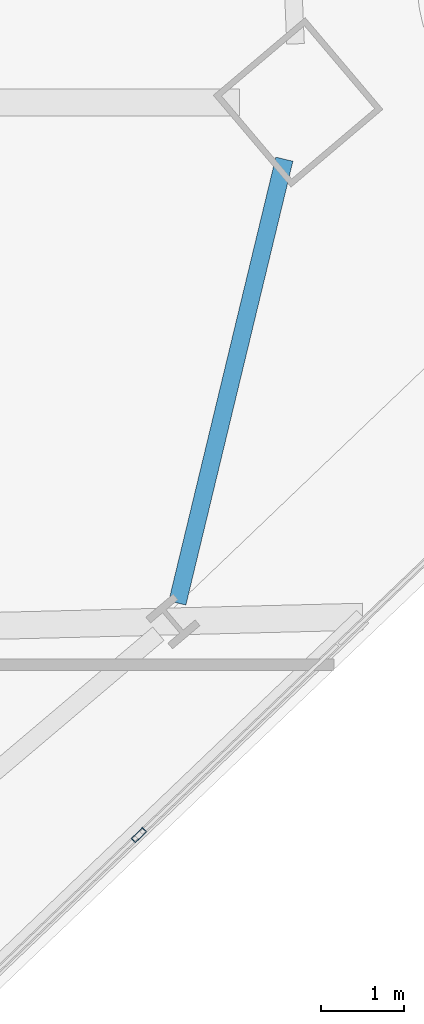
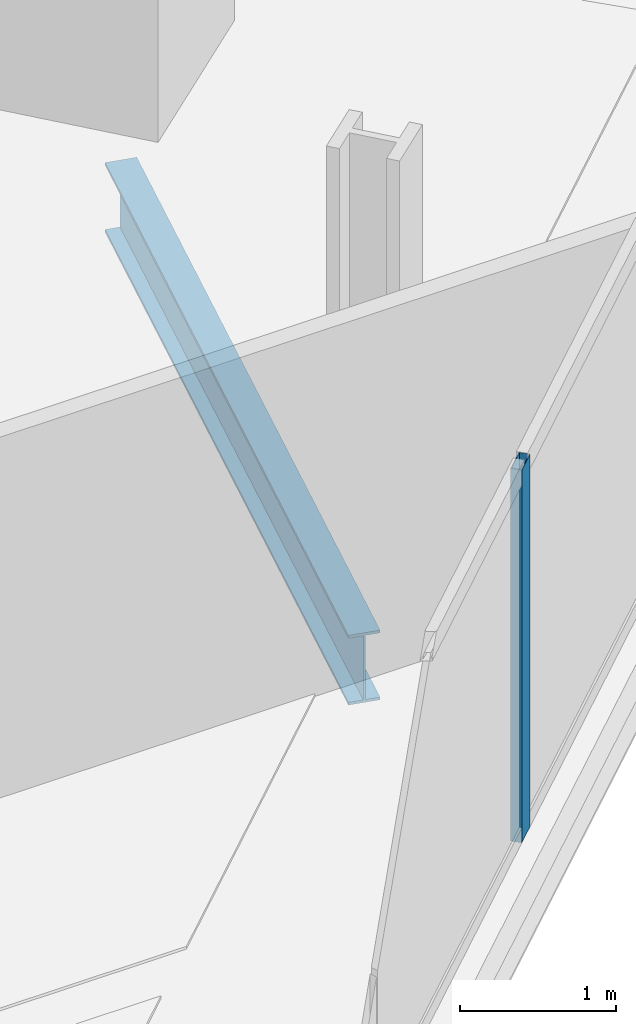
# One storey, part 10 of 33: 1 beam, 1 member, 1 element without a shape of its own.
"""IFC4 building model written with IfcOpenShell, lengths in metres."""

from ifc_helpers import new_model, si_unit, direction, frame, origin, origin_2d, place, context, subcontext, project, spatial, hollow_rectangle, i_section, extrude, material, material_profile, profile_set, type_object, element, aggregate, save


model = new_model("IFC4")

# Units and contexts
model_context = context("Model", 3, precision=1e-05, world=origin(), true_north=direction((0.0, 1.0)))
body_context = subcontext(model_context, "Body", "Model", "MODEL_VIEW")
ifc_project = project(units=[si_unit("LENGTHUNIT", "METRE"), si_unit("AREAUNIT", "SQUARE_METRE"), si_unit("VOLUMEUNIT", "CUBIC_METRE"), si_unit("PLANEANGLEUNIT", "RADIAN"), si_unit("MASSUNIT", "GRAM", prefix="KILO")], contexts=[model_context])

# Site, building, storey
site_placement = place(None, origin())
site = spatial("IfcSite", under=ifc_project, at=site_placement, CompositionType="ELEMENT")
building_placement = place(site_placement, origin())
building = spatial("IfcBuilding", under=site, at=building_placement, Name="Haldenkirk Collegiate Tower", CompositionType="ELEMENT")
storey_placement = place(building_placement, frame((0.0, 0.0, 174.449951171875)))
storey = spatial("IfcBuildingStorey", under=building, at=storey_placement, Name="L43", CompositionType="ELEMENT", Elevation=174.449951171875)

# Beam
ifc_material_1 = material(Name="Steel ASTM A992 Grade 50", Category="steel")
ifc_material_profile_1 = material_profile(ifc_material_1, i_section(OverallWidth=0.2119140625, OverallDepth=0.5439453125, WebThickness=0.01318359375, FlangeThickness=0.021240234375, at=origin_2d()), Name="W21X83")
ifc_profile_set_1 = profile_set([ifc_material_profile_1], Name="Steel ASTM A992 Grade 50")
beam_type = type_object("IfcBeamType", Name="BM-SPANDREL-W21X83", PredefinedType="SPANDREL", material=ifc_profile_set_1)
beam_placement = place(storey_placement, frame((60.010009765625, 18.595458984375, -0.56201171875), z_axis=(0.23444531808, 0.972129308698, 0.0), x_axis=(-0.972129308698, 0.23444531808, 0.0)))
element("IfcBeam", 1, at=beam_placement, inside=storey, type_object=beam_type, Name="L43 perimeter spandrel beam 04", PredefinedType="SPANDREL", context=body_context, shape_type="SweptSolid", body=[
    extrude(i_section(OverallWidth=0.2119140625, OverallDepth=0.5439453125, WebThickness=0.01318359375, FlangeThickness=0.021240234375, at=origin_2d()), origin(), (0.0, 0.0, 1.0), 5.50146484375),
])

# Curtain wall, member
ifc_material_2 = material(Name="Anodised architectural bronze aluminium", Category="aluminium")
curtain_wall_type = type_object("IfcCurtainWallType", Name="CW-SYS2-CONCAVE", PredefinedType="USERDEFINED", material=ifc_material_2)
curtain_wall_placement = place(storey_placement, origin())
curtain_wall = element("IfcCurtainWall", 2, at=curtain_wall_placement, inside=storey, type_object=curtain_wall_type, Name="L43 South concave recessed bronze-anodised curtain wall", ObjectType="UNITISED CURTAIN WALL", PredefinedType="USERDEFINED")
ifc_material_profile_2 = material_profile(ifc_material_2, hollow_rectangle(XDim=0.074951171875, YDim=0.18994140625, WallThickness=0.0048828125, at=origin_2d()), Name="CW-MUL-02")
ifc_profile_set_2 = profile_set([ifc_material_profile_2], Name="Anodised architectural bronze aluminium")
member_type = type_object("IfcMemberType", Name="CW-MUL-02", PredefinedType="MULLION", material=ifc_profile_set_2)
member_placement = place(storey_placement, frame((59.54736328125, 15.796875, 0.0), z_axis=(0.0, 0.0, 1.0), x_axis=(0.690883419305, -0.722966182425, 0.0)))
member = element("IfcMember", 3, at=member_placement, type_object=member_type, Name="CW-02 mullion 2", PredefinedType="MULLION", context=body_context, shape_type="SweptSolid", body=[
    extrude(hollow_rectangle(XDim=0.074951171875, YDim=0.18994140625, WallThickness=0.0048828125, at=origin_2d()), origin(), (0.0, 0.0, 1.0), 2.9111328125),
])
aggregate(curtain_wall, [member])

save(model, "model.ifc")
